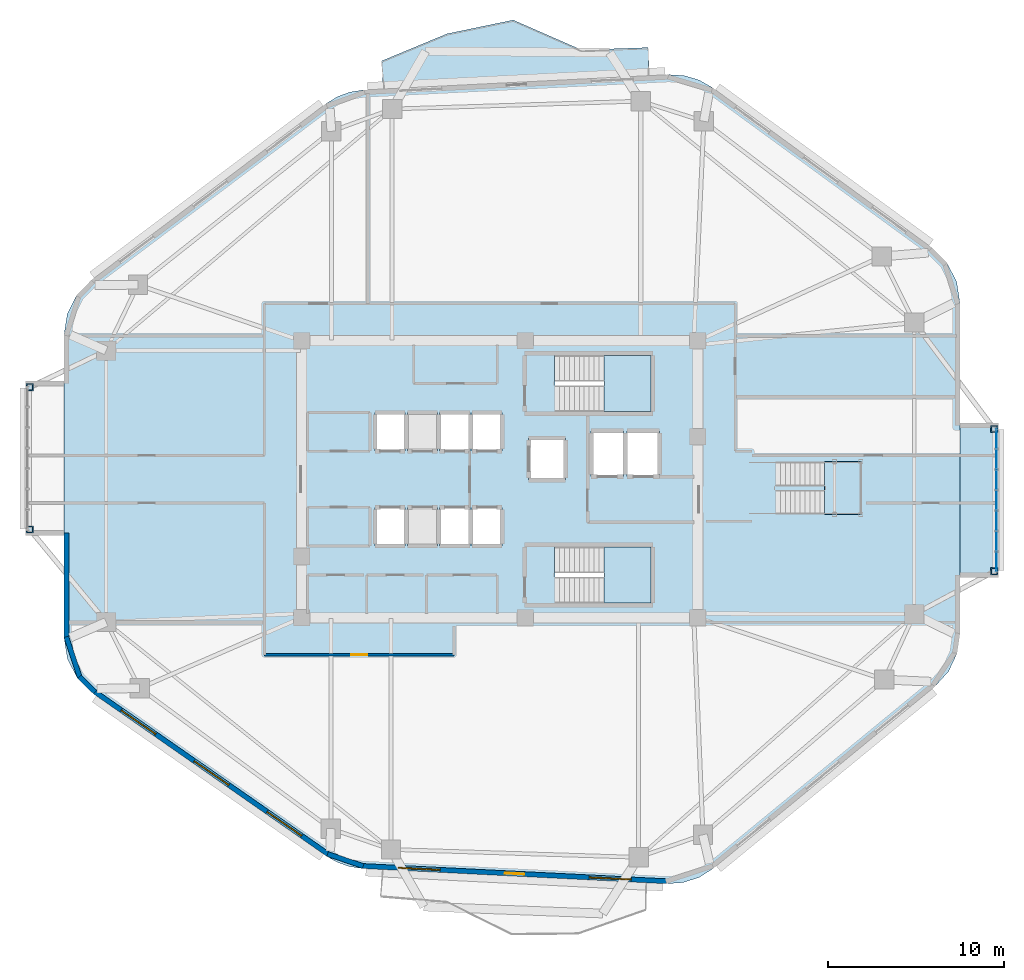
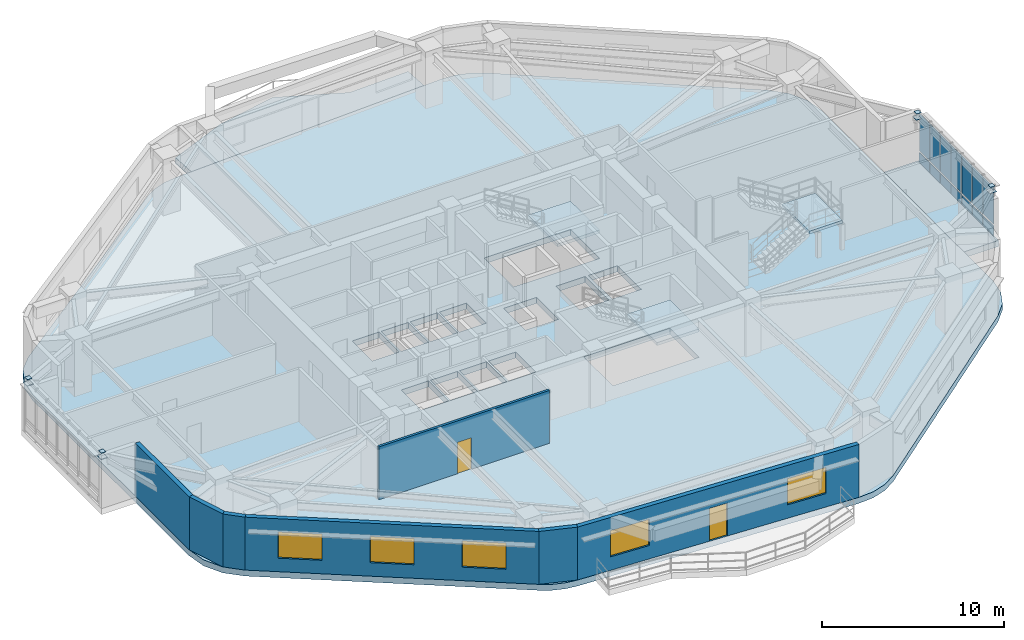
# One storey, part 8 of 16: 22 plates, 7 walls, 6 slabs, 5 windows, 2 doors, 7 openings, 4 elements without a shape of their own.
"""IFC4 building model written with IfcOpenShell, lengths in metres."""

from ifc_helpers import new_model, si_unit, direction, frame, frame_2d, origin, origin_2d, place, context, subcontext, project, spatial, polyline, rectangle, outline, extrude, material, layer, layer_set, type_object, element, fill, aggregate, save


model = new_model("IFC4")

# Units and contexts
model_context = context("Model", 3, precision=1e-05, world=origin(), true_north=direction((0.0, 1.0)))
body_context = subcontext(model_context, "Body", "Model", "MODEL_VIEW")
ifc_project = project(units=[si_unit("LENGTHUNIT", "METRE"), si_unit("AREAUNIT", "SQUARE_METRE"), si_unit("VOLUMEUNIT", "CUBIC_METRE"), si_unit("PLANEANGLEUNIT", "RADIAN"), si_unit("MASSUNIT", "GRAM", prefix="KILO")], contexts=[model_context])

# Site, building, storey
site_placement = place(None, origin())
site = spatial("IfcSite", under=ifc_project, at=site_placement, CompositionType="ELEMENT")
building_placement = place(site_placement, origin())
building = spatial("IfcBuilding", under=site, at=building_placement, Name="Zulverin Broadcast Headquarters", CompositionType="ELEMENT")
storey_placement = place(building_placement, frame((0.0, 0.0, 125.0)))
storey = spatial("IfcBuildingStorey", under=building, at=storey_placement, Name="L31", CompositionType="ELEMENT", Elevation=125.0)

# Curtain wall, plates
ifc_material_1 = material(Name="Acoustic triple-glazed studio box curtain wall", Category="aluminium")
curtain_wall_type = type_object("IfcCurtainWallType", Name="CW-SBOX", PredefinedType="USERDEFINED", material=ifc_material_1)
curtain_wall_placement = place(storey_placement, origin())
curtain_wall = element("IfcCurtainWall", 1, at=curtain_wall_placement, inside=storey, type_object=curtain_wall_type, Name="L31 Unitised Curtain Wall CW-L31-SBOX_SKY1_E-F", ObjectType="UNITISED CURTAIN WALL", PredefinedType="USERDEFINED")
ifc_material_2 = material(Name="Low-E double-glazed pale-silver vision glass", Category="glass")
ifc_layer_1 = layer(ifc_material_2, 0.035888671875, Name="Low-E double-glazed pale-silver vision glass", Category="glass")
ifc_layer_set_1 = layer_set([ifc_layer_1], Name="Low-E double-glazed pale-silver vision glass")
plate_type_1 = type_object("IfcPlateType", Name="CW-PNL-GLZ", PredefinedType="CURTAIN_PANEL", material=ifc_layer_set_1)
plate_1_placement = place(storey_placement, frame((65.280029296875, 20.512939453125, 0.91455078125), z_axis=(0.0, 0.0, 1.0), x_axis=(0.0, 1.0, 0.0)))
plate_1 = element("IfcPlate", 2, at=plate_1_placement, type_object=plate_type_1, Name="CW-L31-SBOX_SKY1_E-F Vision Panel 00", PredefinedType="CURTAIN_PANEL", context=body_context, shape_type="SweptSolid", body=[
    extrude(rectangle(XDim=1.125732421875, YDim=0.035888671875, at=origin_2d()), origin(), (0.0, 0.0, 1.0), 2.4853515625),
])
plate_2_placement = place(storey_placement, frame((65.280029296875, 21.6787109375, 0.91455078125), z_axis=(0.0, 0.0, 1.0), x_axis=(0.0, 1.0, 0.0)))
plate_2 = element("IfcPlate", 3, at=plate_2_placement, type_object=plate_type_1, Name="CW-L31-SBOX_SKY1_E-F Vision Panel 01", PredefinedType="CURTAIN_PANEL", context=body_context, shape_type="SweptSolid", body=[
    extrude(rectangle(XDim=1.125732421875, YDim=0.035888671875, at=origin_2d()), origin(), (0.0, 0.0, 1.0), 2.4853515625),
])
plate_3_placement = place(storey_placement, frame((65.280029296875, 22.84423828125, 0.91455078125), z_axis=(0.0, 0.0, 1.0), x_axis=(0.0, 1.0, 0.0)))
plate_3 = element("IfcPlate", 4, at=plate_3_placement, type_object=plate_type_1, Name="CW-L31-SBOX_SKY1_E-F Vision Panel 02", PredefinedType="CURTAIN_PANEL", context=body_context, shape_type="SweptSolid", body=[
    extrude(rectangle(XDim=1.125732421875, YDim=0.035888671875, at=origin_2d()), origin(), (0.0, 0.0, 1.0), 2.4853515625),
])
plate_4_placement = place(storey_placement, frame((65.280029296875, 24.010009765625, 0.91455078125), z_axis=(0.0, 0.0, 1.0), x_axis=(0.0, 1.0, 0.0)))
plate_4 = element("IfcPlate", 5, at=plate_4_placement, type_object=plate_type_1, Name="CW-L31-SBOX_SKY1_E-F Vision Panel 03", PredefinedType="CURTAIN_PANEL", context=body_context, shape_type="SweptSolid", body=[
    extrude(rectangle(XDim=1.125732421875, YDim=0.035888671875, at=origin_2d()), origin(), (0.0, 0.0, 1.0), 2.4853515625),
])
plate_5_placement = place(storey_placement, frame((65.280029296875, 25.17578125, 0.91455078125), z_axis=(0.0, 0.0, 1.0), x_axis=(0.0, 1.0, 0.0)))
plate_5 = element("IfcPlate", 6, at=plate_5_placement, type_object=plate_type_1, Name="CW-L31-SBOX_SKY1_E-F Vision Panel 04", PredefinedType="CURTAIN_PANEL", context=body_context, shape_type="SweptSolid", body=[
    extrude(rectangle(XDim=1.125732421875, YDim=0.035888671875, at=origin_2d()), origin(), (0.0, 0.0, 1.0), 2.4853515625),
])
plate_6_placement = place(storey_placement, frame((65.280029296875, 26.34130859375, 0.91455078125), z_axis=(0.0, 0.0, 1.0), x_axis=(0.0, 1.0, 0.0)))
plate_6 = element("IfcPlate", 7, at=plate_6_placement, type_object=plate_type_1, Name="CW-L31-SBOX_SKY1_E-F Vision Panel 05", PredefinedType="CURTAIN_PANEL", context=body_context, shape_type="SweptSolid", body=[
    extrude(rectangle(XDim=1.125732421875, YDim=0.035888671875, at=origin_2d()), origin(), (0.0, 0.0, 1.0), 2.4853515625),
])
plate_7_placement = place(storey_placement, frame((65.280029296875, 27.507080078125, 0.91455078125), z_axis=(0.0, 0.0, 1.0), x_axis=(0.0, 1.0, 0.0)))
plate_7 = element("IfcPlate", 8, at=plate_7_placement, type_object=plate_type_1, Name="CW-L31-SBOX_SKY1_E-F Vision Panel 06", PredefinedType="CURTAIN_PANEL", context=body_context, shape_type="SweptSolid", body=[
    extrude(rectangle(XDim=1.125732421875, YDim=0.035888671875, at=origin_2d()), origin(), (0.0, 0.0, 1.0), 2.4853515625),
])
ifc_material_3 = material(Name="Insulated brushed pale-aluminium spandrel cassette", Category="aluminium")
ifc_layer_2 = layer(ifc_material_3, 0.050048828125, Name="Insulated brushed pale-aluminium spandrel cassette", Category="aluminium")
ifc_layer_set_2 = layer_set([ifc_layer_2], Name="Insulated brushed pale-aluminium spandrel cassette")
plate_type_2 = type_object("IfcPlateType", Name="CW-PNL-SPN", PredefinedType="CURTAIN_PANEL", material=ifc_layer_set_2)
plate_8_placement = place(storey_placement, frame((65.280029296875, 20.512939453125, 0.14013671875), z_axis=(0.0, 0.0, 1.0), x_axis=(0.0, 1.0, 0.0)))
plate_8 = element("IfcPlate", 9, at=plate_8_placement, type_object=plate_type_2, Name="CW-L31-SBOX_SKY1_E-F Spandrel Cassette 00", PredefinedType="CURTAIN_PANEL", context=body_context, shape_type="SweptSolid", body=[
    extrude(rectangle(XDim=1.125732421875, YDim=0.050048828125, at=origin_2d()), origin(), (0.0, 0.0, 1.0), 0.64453125),
])
plate_9_placement = place(storey_placement, frame((65.280029296875, 21.6787109375, 0.14013671875), z_axis=(0.0, 0.0, 1.0), x_axis=(0.0, 1.0, 0.0)))
plate_9 = element("IfcPlate", 10, at=plate_9_placement, type_object=plate_type_2, Name="CW-L31-SBOX_SKY1_E-F Spandrel Cassette 01", PredefinedType="CURTAIN_PANEL", context=body_context, shape_type="SweptSolid", body=[
    extrude(rectangle(XDim=1.125732421875, YDim=0.050048828125, at=origin_2d()), origin(), (0.0, 0.0, 1.0), 0.64453125),
])
plate_10_placement = place(storey_placement, frame((65.280029296875, 22.84423828125, 0.14013671875), z_axis=(0.0, 0.0, 1.0), x_axis=(0.0, 1.0, 0.0)))
plate_10 = element("IfcPlate", 11, at=plate_10_placement, type_object=plate_type_2, Name="CW-L31-SBOX_SKY1_E-F Spandrel Cassette 02", PredefinedType="CURTAIN_PANEL", context=body_context, shape_type="SweptSolid", body=[
    extrude(rectangle(XDim=1.125732421875, YDim=0.050048828125, at=origin_2d()), origin(), (0.0, 0.0, 1.0), 0.64453125),
])
plate_11_placement = place(storey_placement, frame((65.280029296875, 24.010009765625, 0.14013671875), z_axis=(0.0, 0.0, 1.0), x_axis=(0.0, 1.0, 0.0)))
plate_11 = element("IfcPlate", 12, at=plate_11_placement, type_object=plate_type_2, Name="CW-L31-SBOX_SKY1_E-F Spandrel Cassette 03", PredefinedType="CURTAIN_PANEL", context=body_context, shape_type="SweptSolid", body=[
    extrude(rectangle(XDim=1.125732421875, YDim=0.050048828125, at=origin_2d()), origin(), (0.0, 0.0, 1.0), 0.64453125),
])
plate_12_placement = place(storey_placement, frame((65.280029296875, 25.17578125, 0.14013671875), z_axis=(0.0, 0.0, 1.0), x_axis=(0.0, 1.0, 0.0)))
plate_12 = element("IfcPlate", 13, at=plate_12_placement, type_object=plate_type_2, Name="CW-L31-SBOX_SKY1_E-F Spandrel Cassette 04", PredefinedType="CURTAIN_PANEL", context=body_context, shape_type="SweptSolid", body=[
    extrude(rectangle(XDim=1.125732421875, YDim=0.050048828125, at=origin_2d()), origin(), (0.0, 0.0, 1.0), 0.64453125),
])
plate_13_placement = place(storey_placement, frame((65.280029296875, 26.34130859375, 0.14013671875), z_axis=(0.0, 0.0, 1.0), x_axis=(0.0, 1.0, 0.0)))
plate_13 = element("IfcPlate", 14, at=plate_13_placement, type_object=plate_type_2, Name="CW-L31-SBOX_SKY1_E-F Spandrel Cassette 05", PredefinedType="CURTAIN_PANEL", context=body_context, shape_type="SweptSolid", body=[
    extrude(rectangle(XDim=1.125732421875, YDim=0.050048828125, at=origin_2d()), origin(), (0.0, 0.0, 1.0), 0.64453125),
])
plate_14_placement = place(storey_placement, frame((65.280029296875, 27.507080078125, 0.14013671875), z_axis=(0.0, 0.0, 1.0), x_axis=(0.0, 1.0, 0.0)))
plate_14 = element("IfcPlate", 15, at=plate_14_placement, type_object=plate_type_2, Name="CW-L31-SBOX_SKY1_E-F Spandrel Cassette 06", PredefinedType="CURTAIN_PANEL", context=body_context, shape_type="SweptSolid", body=[
    extrude(rectangle(XDim=1.125732421875, YDim=0.050048828125, at=origin_2d()), origin(), (0.0, 0.0, 1.0), 0.64453125),
])
aggregate(curtain_wall, [plate_8, plate_1, plate_9, plate_2, plate_10, plate_3, plate_11, plate_4, plate_12, plate_5, plate_13, plate_6, plate_14, plate_7])

# Plates
ifc_material_4 = material(Name="Structural steel S355JR", Category="steel")
ifc_layer_3 = layer(ifc_material_4, 0.02490234375, Name="Structural steel S355JR", Category="steel")
ifc_layer_set_3 = layer_set([ifc_layer_3], Name="Structural steel S355JR")
plate_type_3 = type_object("IfcPlateType", Name="PLT-NODE-SBN1", PredefinedType="SHEET", material=ifc_layer_set_3)
plate_15_placement = place(storey_placement, frame((65.14990234375, 19.9599609375, 3.53759765625), z_axis=(0.0, 0.0, 1.0), x_axis=(1.0, 0.0, 0.0)))
element("IfcPlate", 16, at=plate_15_placement, inside=storey, type_object=plate_type_3, Name="SBN-1 Studio Box Post End Cap Plate L31-SBOX_SKY1_E-1", PredefinedType="SHEET", context=body_context, shape_type="SweptSolid", body=[
    extrude(rectangle(XDim=0.300048828125, YDim=0.300048828125, at=origin_2d()), origin(), (0.0, 0.0, 1.0), 0.02490234375),
])
plate_16_placement = place(storey_placement, frame((65.14990234375, 19.9599609375, 3.177490234375), z_axis=(0.0, 0.0, 1.0), x_axis=(1.0, 0.0, 0.0)))
element("IfcPlate", 17, at=plate_16_placement, inside=storey, type_object=plate_type_3, Name="SBN-1 Studio Box Node Gusset Plate L31-SBOX_SKY1_E-1", PredefinedType="SHEET", context=body_context, shape_type="SweptSolid", body=[
    extrude(rectangle(XDim=0.419921875, YDim=0.419921875, at=origin_2d()), origin(), (0.0, 0.0, 1.0), 0.02490234375),
])
plate_17_placement = place(storey_placement, frame((65.14990234375, 28.06005859375, 3.53759765625), z_axis=(0.0, 0.0, 1.0), x_axis=(1.0, 0.0, 0.0)))
element("IfcPlate", 18, at=plate_17_placement, inside=storey, type_object=plate_type_3, Name="SBN-1 Studio Box Post End Cap Plate L31-SBOX_SKY1_E-2", PredefinedType="SHEET", context=body_context, shape_type="SweptSolid", body=[
    extrude(rectangle(XDim=0.300048828125, YDim=0.300048828125, at=origin_2d()), origin(), (0.0, 0.0, 1.0), 0.02490234375),
])
plate_18_placement = place(storey_placement, frame((65.14990234375, 28.06005859375, 3.177490234375), z_axis=(0.0, 0.0, 1.0), x_axis=(1.0, 0.0, 0.0)))
element("IfcPlate", 19, at=plate_18_placement, inside=storey, type_object=plate_type_3, Name="SBN-1 Studio Box Node Gusset Plate L31-SBOX_SKY1_E-2", PredefinedType="SHEET", context=body_context, shape_type="SweptSolid", body=[
    extrude(rectangle(XDim=0.419921875, YDim=0.419921875, at=origin_2d()), origin(), (0.0, 0.0, 1.0), 0.02490234375),
])
plate_19_placement = place(storey_placement, frame((10.25, 22.340087890625, 3.53759765625), z_axis=(0.0, 0.0, 1.0), x_axis=(1.0, 0.0, 0.0)))
element("IfcPlate", 20, at=plate_19_placement, inside=storey, type_object=plate_type_3, Name="SBN-1 Studio Box Post End Cap Plate L31-SBOX_SKY1_W-1", PredefinedType="SHEET", context=body_context, shape_type="SweptSolid", body=[
    extrude(rectangle(XDim=0.300048828125, YDim=0.300048828125, at=origin_2d()), origin(), (0.0, 0.0, 1.0), 0.02490234375),
])
plate_20_placement = place(storey_placement, frame((10.25, 22.340087890625, 3.177490234375), z_axis=(0.0, 0.0, 1.0), x_axis=(1.0, 0.0, 0.0)))
element("IfcPlate", 21, at=plate_20_placement, inside=storey, type_object=plate_type_3, Name="SBN-1 Studio Box Node Gusset Plate L31-SBOX_SKY1_W-1", PredefinedType="SHEET", context=body_context, shape_type="SweptSolid", body=[
    extrude(rectangle(XDim=0.419921875, YDim=0.419921875, at=origin_2d()), origin(), (0.0, 0.0, 1.0), 0.02490234375),
])
plate_21_placement = place(storey_placement, frame((10.25, 30.43994140625, 3.53759765625), z_axis=(0.0, 0.0, 1.0), x_axis=(1.0, 0.0, 0.0)))
element("IfcPlate", 22, at=plate_21_placement, inside=storey, type_object=plate_type_3, Name="SBN-1 Studio Box Post End Cap Plate L31-SBOX_SKY1_W-2", PredefinedType="SHEET", context=body_context, shape_type="SweptSolid", body=[
    extrude(rectangle(XDim=0.300048828125, YDim=0.300048828125, at=origin_2d()), origin(), (0.0, 0.0, 1.0), 0.02490234375),
])
plate_22_placement = place(storey_placement, frame((10.25, 30.43994140625, 3.177490234375), z_axis=(0.0, 0.0, 1.0), x_axis=(1.0, 0.0, 0.0)))
element("IfcPlate", 23, at=plate_22_placement, inside=storey, type_object=plate_type_3, Name="SBN-1 Studio Box Node Gusset Plate L31-SBOX_SKY1_W-2", PredefinedType="SHEET", context=body_context, shape_type="SweptSolid", body=[
    extrude(rectangle(XDim=0.419921875, YDim=0.419921875, at=origin_2d()), origin(), (0.0, 0.0, 1.0), 0.02490234375),
])

# Slab
ifc_material_5 = material(Name="Concrete C40/50", Category="concrete")
ifc_layer_4 = layer(ifc_material_5, 0.39990234375, Name="Concrete C40/50", Category="concrete")
ifc_layer_set_4 = layer_set([ifc_layer_4], Name="Concrete C40/50")
slab_type_1 = type_object("IfcSlabType", Name="SLB-BAL-400", PredefinedType="FLOOR", material=ifc_layer_set_4)
slab_1_placement = place(storey_placement, frame((0.0, 0.0, -0.39990234375)))
element("IfcSlab", 24, at=slab_1_placement, inside=storey, type_object=slab_type_1, Name="L31 Cantilevered Planted Balcony Slab BAL_N", PredefinedType="FLOOR", context=body_context, shape_type="SweptSolid", body=[
    extrude(outline(polyline([(30.364013671875, 47.4150390625), (45.526611328125, 48.17578125), (45.4462890625, 49.773681640625), (41.65283203125, 49.638916015625), (37.767333984375, 51.3408203125), (34.00634765625, 50.558837890625), (30.28369140625, 49.012939453125), (30.364013671875, 47.4150390625)])), origin(), (0.0, 0.0, 1.0), 0.39990234375),
])

# Stair, slab
stair_type_1 = type_object("IfcStairType", Name="ST-CORE-1500", PredefinedType="HALF_TURN_STAIR", material=ifc_material_5)
stair_1_placement = place(storey_placement, origin())
stair_1 = element("IfcStair", 25, at=stair_1_placement, inside=storey, type_object=stair_type_1, Name="L31 Core Exit Stair ST-1", PredefinedType="HALF_TURN_STAIR")
ifc_layer_5 = layer(ifc_material_5, 0.199951171875, Name="Concrete C40/50", Category="concrete")
ifc_layer_set_5 = layer_set([ifc_layer_5], Name="Concrete C40/50")
slab_type_2 = type_object("IfcSlabType", Name="SLB-ST-LND200", PredefinedType="LANDING", material=ifc_layer_set_5)
slab_2_placement = place(storey_placement, frame((0.0, 0.0, 1.699951171875)))
slab_2 = element("IfcSlab", 26, at=slab_2_placement, type_object=slab_type_2, Name="ST-1 landing 1", PredefinedType="LANDING", context=body_context, shape_type="SweptSolid", body=[
    extrude(outline(polyline([(42.929931640625, 29.050048828125), (45.60009765625, 29.050048828125), (45.60009765625, 32.25), (42.929931640625, 32.25), (42.929931640625, 29.050048828125)])), origin(), (0.0, 0.0, 1.0), 0.199951171875),
])
aggregate(stair_1, [slab_2])

stair_2_placement = place(storey_placement, origin())
stair_2 = element("IfcStair", 27, at=stair_2_placement, inside=storey, type_object=stair_type_1, Name="L31 Core Exit Stair ST-2", PredefinedType="HALF_TURN_STAIR")
slab_3_placement = place(storey_placement, frame((0.0, 0.0, 1.699951171875)))
slab_3 = element("IfcSlab", 28, at=slab_3_placement, type_object=slab_type_2, Name="ST-2 landing 1", PredefinedType="LANDING", context=body_context, shape_type="SweptSolid", body=[
    extrude(outline(polyline([(42.929931640625, 18.14990234375), (45.60009765625, 18.14990234375), (45.60009765625, 21.35009765625), (42.929931640625, 21.35009765625), (42.929931640625, 18.14990234375)])), origin(), (0.0, 0.0, 1.0), 0.199951171875),
])
aggregate(stair_2, [slab_3])

stair_type_2 = type_object("IfcStairType", Name="ST-SKY-1400", PredefinedType="HALF_TURN_STAIR", material=ifc_material_5)
stair_3_placement = place(storey_placement, origin())
stair_3 = element("IfcStair", 29, at=stair_3_placement, inside=storey, type_object=stair_type_2, Name="L31 Mid-Rise Sky Lobby Feature Stair ST-6", PredefinedType="HALF_TURN_STAIR")
slab_4_placement = place(storey_placement, frame((0.0, 0.0, 1.699951171875)))
slab_4 = element("IfcSlab", 30, at=slab_4_placement, type_object=slab_type_2, Name="ST-6 landing 1", PredefinedType="LANDING", context=body_context, shape_type="SweptSolid", body=[
    extrude(outline(polyline([(55.5, 23.199951171875), (57.60009765625, 23.199951171875), (57.60009765625, 26.199951171875), (55.5, 26.199951171875), (55.5, 23.199951171875)])), origin(), (0.0, 0.0, 1.0), 0.199951171875),
])
aggregate(stair_3, [slab_4])

# Slabs
ifc_material_6 = material(Name="Concrete C50/60", Category="concrete")
ifc_layer_6 = layer(ifc_material_6, 0.39990234375, Name="Concrete C50/60", Category="concrete")
ifc_layer_set_6 = layer_set([ifc_layer_6], Name="Concrete C50/60")
slab_type_3 = type_object("IfcSlabType", Name="SLB-TRN-400", PredefinedType="FLOOR", material=ifc_layer_set_6)
slab_5_placement = place(storey_placement, frame((0.0, 0.0, -0.39990234375)))
element("IfcSlab", 31, at=slab_5_placement, inside=storey, type_object=slab_type_3, Name="L31 Main Structural Floor Slab", PredefinedType="FLOOR", context=body_context, shape_type="SweptSolid", body=[
    extrude(outline(polyline([(27.155029296875, 3.73828125), (27.785400390625, 3.381591796875), (28.470947265625, 3.147216796875), (29.18798828125, 3.0439453125), (46.498779296875, 2.175537109375), (47.45263671875, 2.2451171875), (48.36083984375, 2.544677734375), (49.168701171875, 3.05615234375), (61.7744140625, 13.40380859375), (62.54296875, 14.251708984375), (63.031982421875, 15.286376953125), (63.199951171875, 16.418212890625), (63.199951171875, 35.22998046875), (63.010009765625, 36.4326171875), (62.458251953125, 37.517822265625), (61.598876953125, 38.38037109375), (49.119384765625, 47.486083984375), (48.351806640625, 47.922607421875), (47.506103515625, 48.175048828125), (46.625, 48.230712890625), (29.265380859375, 47.35986328125), (28.502197265625, 47.2451171875), (27.776611328125, 46.982421875), (27.116943359375, 46.581787109375), (13.756103515625, 36.5361328125), (12.919921875, 35.6767578125), (12.384521484375, 34.603759765625), (12.199951171875, 33.4189453125), (12.199951171875, 16.18701171875), (12.399169921875, 14.956787109375), (12.975830078125, 13.852294921875), (13.87158203125, 12.986083984375), (27.155029296875, 3.73828125)]), holes=[polyline([(40.155029296875, 30.75), (40.13037109375, 30.75), (40.13037109375, 32.25), (45.60009765625, 32.25), (45.60009765625, 29.050048828125), (40.155029296875, 29.050048828125), (40.155029296875, 30.75)]), polyline([(40.155029296875, 19.85009765625), (40.13037109375, 19.85009765625), (40.13037109375, 21.35009765625), (45.60009765625, 21.35009765625), (45.60009765625, 18.14990234375), (40.155029296875, 18.14990234375), (40.155029296875, 19.85009765625)]), polyline([(29.89990234375, 21.39990234375), (31.6201171875, 21.39990234375), (31.6201171875, 23.60009765625), (29.89990234375, 23.60009765625), (29.89990234375, 21.39990234375)]), polyline([(31.739990234375, 21.39990234375), (33.4599609375, 21.39990234375), (33.4599609375, 23.60009765625), (31.739990234375, 23.60009765625), (31.739990234375, 21.39990234375)]), polyline([(33.580078125, 21.39990234375), (35.300048828125, 21.39990234375), (35.300048828125, 23.60009765625), (33.580078125, 23.60009765625), (33.580078125, 21.39990234375)]), polyline([(35.419921875, 21.39990234375), (37.139892578125, 21.39990234375), (37.139892578125, 23.60009765625), (35.419921875, 23.60009765625), (35.419921875, 21.39990234375)]), polyline([(29.89990234375, 26.800048828125), (31.6201171875, 26.800048828125), (31.6201171875, 29.0), (29.89990234375, 29.0), (29.89990234375, 26.800048828125)]), polyline([(31.739990234375, 26.800048828125), (33.4599609375, 26.800048828125), (33.4599609375, 29.0), (31.739990234375, 29.0), (31.739990234375, 26.800048828125)]), polyline([(33.580078125, 26.800048828125), (35.300048828125, 26.800048828125), (35.300048828125, 29.0), (33.580078125, 29.0), (33.580078125, 26.800048828125)]), polyline([(35.419921875, 26.800048828125), (37.139892578125, 26.800048828125), (37.139892578125, 29.0), (35.419921875, 29.0), (35.419921875, 26.800048828125)]), polyline([(42.199951171875, 25.35009765625), (44.050048828125, 25.35009765625), (44.050048828125, 27.949951171875), (42.199951171875, 27.949951171875), (42.199951171875, 25.35009765625)]), polyline([(44.25, 25.35009765625), (46.10009765625, 25.35009765625), (46.10009765625, 27.949951171875), (44.25, 27.949951171875), (44.25, 25.35009765625)]), polyline([(38.64990234375, 25.14990234375), (40.75, 25.14990234375), (40.75, 27.550048828125), (38.64990234375, 27.550048828125), (38.64990234375, 25.14990234375)])]), origin(), (0.0, 0.0, 1.0), 0.39990234375),
])
slab_6_placement = place(storey_placement, frame((0.0, 0.0, -0.39990234375)))
element("IfcSlab", 32, at=slab_6_placement, inside=storey, type_object=slab_type_3, Name="L31 Shifted Broadcast Studio Box Floor Slab SBOX_SKY1_E", PredefinedType="FLOOR", context=body_context, shape_type="SweptSolid", body=[
    extrude(outline(polyline([(63.199951171875, 19.610107421875), (65.39990234375, 19.610107421875), (65.39990234375, 28.409912109375), (63.199951171875, 28.409912109375), (63.199951171875, 19.610107421875)])), origin(), (0.0, 0.0, 1.0), 0.39990234375),
])

# Wall, openings, door, windows
ifc_material_7 = material(Name="Insulated pale-metal clad concrete spandrel C40/50", Category="concrete")
ifc_layer_7 = layer(ifc_material_7, 0.280029296875, Name="Insulated pale-metal clad concrete spandrel C40/50", Category="concrete")
ifc_layer_set_7 = layer_set([ifc_layer_7], Name="Insulated pale-metal clad concrete spandrel C40/50")
wall_type_1 = type_object("IfcWallType", Name="WL-EXT-280", PredefinedType="STANDARD", material=ifc_layer_set_7)
wall_1_placement = place(storey_placement, frame((29.19482421875, 3.183837890625, 0.0), z_axis=(0.0, 0.0, 1.0), x_axis=(0.998743400978, -0.05011605535, 0.0)))
wall_1 = element("IfcWall", 33, at=wall_1_placement, inside=storey, type_object=wall_type_1, Name="L31 Pale-Metal Clad Spandrel Wall 1", PredefinedType="STANDARD", context=body_context, shape_type="SweptSolid", body=[
    extrude(rectangle(XDim=17.332763671875, YDim=0.280029296875, at=frame_2d((8.66650390625, 0.0))), origin(), (0.0, 0.0, 1.0), 3.5400390625),
])
opening_1_placement = place(wall_1_placement, frame((8.116455078125, 0.0, 0.0)))
opening_1 = element("IfcOpeningElement", 34, at=opening_1_placement, cuts=wall_1, Name="Opening D-L31-TR1", PredefinedType="OPENING", context=body_context, shape_type="SweptSolid", body=[
    extrude(rectangle(XDim=1.10009765625, YDim=2.199951171875, at=frame_2d((0.550048828125, 1.10009765625))), frame((0.0, 0.14990234375, 0.0), z_axis=(0.0, -1.0, 0.0), x_axis=(1.0, 0.0, 0.0)), (0.0, 0.0, 1.0), 0.300048828125),
])
opening_2_placement = place(wall_1_placement, frame((2.022216796875, 0.0, 0.89990234375)))
opening_2 = element("IfcOpeningElement", 35, at=opening_2_placement, cuts=wall_1, Name="Opening W-L31-E11", PredefinedType="OPENING", context=body_context, shape_type="SweptSolid", body=[
    extrude(rectangle(XDim=2.39990234375, YDim=1.75, at=frame_2d((1.199951171875, 0.875))), frame((0.0, 0.14990234375, 0.0), z_axis=(0.0, -1.0, 0.0), x_axis=(1.0, 0.0, 0.0)), (0.0, 0.0, 1.0), 0.300048828125),
])
opening_3_placement = place(wall_1_placement, frame((12.91064453125, 0.0, 0.89990234375)))
opening_3 = element("IfcOpeningElement", 36, at=opening_3_placement, cuts=wall_1, Name="Opening W-L31-E12", PredefinedType="OPENING", context=body_context, shape_type="SweptSolid", body=[
    extrude(rectangle(XDim=2.39990234375, YDim=1.75, at=frame_2d((1.199951171875, 0.875))), frame((0.0, 0.14990234375, 0.0), z_axis=(0.0, -1.0, 0.0), x_axis=(1.0, 0.0, 0.0)), (0.0, 0.0, 1.0), 0.300048828125),
])
ifc_material_8 = material(Name="Thermally broken aluminium glazed", Category="aluminium")
door_type_1 = type_object("IfcDoorType", Name="DR-TERR-1100", OperationType="SINGLE_SWING_RIGHT", PredefinedType="DOOR", material=ifc_material_8)
door_1_placement = place(opening_1_placement, origin())
door_1 = element("IfcDoor", 37, at=door_1_placement, inside=storey, type_object=door_type_1, Name="L31 Planted Terrace Glazed Access Door 1", OperationType="SINGLE_SWING_RIGHT", OverallHeight=2.199951171875, OverallWidth=1.10009765625, PredefinedType="DOOR", context=body_context, shape_type="SweptSolid", body=[
    extrude(rectangle(XDim=1.10009765625, YDim=2.199951171875, at=frame_2d((0.550048828125, 1.10009765625))), frame((0.0, 0.02490234375, 0.0), z_axis=(0.0, -1.0, 0.0), x_axis=(1.0, 0.0, 0.0)), (0.0, 0.0, 1.0), 0.050048828125),
])
fill(opening_1, door_1)
ifc_material_9 = material(Name="Pale anodized aluminium frame with solar-control low-E double glazing", Category="aluminium")
window_type = type_object("IfcWindowType", Name="WIN-RIB-2400", PartitioningType="SINGLE_PANEL", PredefinedType="WINDOW", material=ifc_material_9)
window_1_placement = place(opening_2_placement, origin())
window_1 = element("IfcWindow", 38, at=window_1_placement, inside=storey, type_object=window_type, Name="L31 Ribbon Glazing Window 1 1", OverallHeight=1.75, OverallWidth=2.39990234375, PartitioningType="SINGLE_PANEL", PredefinedType="WINDOW", context=body_context, shape_type="SweptSolid", body=[
    extrude(rectangle(XDim=2.39990234375, YDim=1.75, at=frame_2d((1.199951171875, 0.875))), frame((0.0, 0.030029296875, 0.0), z_axis=(0.0, -1.0, 0.0), x_axis=(1.0, 0.0, 0.0)), (0.0, 0.0, 1.0), 0.06005859375),
])
fill(opening_2, window_1)
window_2_placement = place(opening_3_placement, origin())
window_2 = element("IfcWindow", 39, at=window_2_placement, inside=storey, type_object=window_type, Name="L31 Ribbon Glazing Window 1 2", OverallHeight=1.75, OverallWidth=2.39990234375, PartitioningType="SINGLE_PANEL", PredefinedType="WINDOW", context=body_context, shape_type="SweptSolid", body=[
    extrude(rectangle(XDim=2.39990234375, YDim=1.75, at=frame_2d((1.199951171875, 0.875))), frame((0.0, 0.030029296875, 0.0), z_axis=(0.0, -1.0, 0.0), x_axis=(1.0, 0.0, 0.0)), (0.0, 0.0, 1.0), 0.06005859375),
])
fill(opening_3, window_2)

# Wall
wall_2_placement = place(storey_placement, frame((12.340087890625, 22.1298828125, 0.0), z_axis=(0.0, 0.0, 1.0), x_axis=(0.0, -1.0, 0.0)))
element("IfcWall", 40, at=wall_2_placement, inside=storey, type_object=wall_type_1, Name="L31 Pale-Metal Clad Flanking Spandrel Wall 7-2", PredefinedType="STANDARD", context=body_context, shape_type="SweptSolid", body=[
    extrude(rectangle(XDim=5.94287109375, YDim=0.280029296875, at=frame_2d((2.971435546875, 0.0))), origin(), (0.0, 0.0, 1.0), 3.5400390625),
])

# Wall, openings, windows
wall_3_placement = place(storey_placement, frame((13.95166015625, 13.10107421875, 0.0), z_axis=(0.0, 0.0, 1.0), x_axis=(0.820698239491, -0.571361881558, 0.0)))
wall_3 = element("IfcWall", 41, at=wall_3_placement, inside=storey, type_object=wall_type_1, Name="L31 Pale-Metal Clad Spandrel Wall 8", PredefinedType="STANDARD", context=body_context, shape_type="SweptSolid", body=[
    extrude(rectangle(XDim=16.185546875, YDim=0.280029296875, at=frame_2d((8.0927734375, 0.0))), origin(), (0.0, 0.0, 1.0), 3.5400390625),
])
opening_4_placement = place(wall_3_placement, frame((1.830810546875, 0.0, 0.89990234375)))
opening_4 = element("IfcOpeningElement", 42, at=opening_4_placement, cuts=wall_3, Name="Opening W-L31-E81", PredefinedType="OPENING", context=body_context, shape_type="SweptSolid", body=[
    extrude(rectangle(XDim=2.39990234375, YDim=1.75, at=frame_2d((1.199951171875, 0.875))), frame((0.0, 0.14990234375, 0.0), z_axis=(0.0, -1.0, 0.0), x_axis=(1.0, 0.0, 0.0)), (0.0, 0.0, 1.0), 0.300048828125),
])
opening_5_placement = place(wall_3_placement, frame((6.892578125, 0.0, 0.89990234375)))
opening_5 = element("IfcOpeningElement", 43, at=opening_5_placement, cuts=wall_3, Name="Opening W-L31-E82", PredefinedType="OPENING", context=body_context, shape_type="SweptSolid", body=[
    extrude(rectangle(XDim=2.39990234375, YDim=1.75, at=frame_2d((1.199951171875, 0.875))), frame((0.0, 0.14990234375, 0.0), z_axis=(0.0, -1.0, 0.0), x_axis=(1.0, 0.0, 0.0)), (0.0, 0.0, 1.0), 0.300048828125),
])
opening_6_placement = place(wall_3_placement, frame((11.95458984375, 0.0, 0.89990234375)))
opening_6 = element("IfcOpeningElement", 44, at=opening_6_placement, cuts=wall_3, Name="Opening W-L31-E83", PredefinedType="OPENING", context=body_context, shape_type="SweptSolid", body=[
    extrude(rectangle(XDim=2.39990234375, YDim=1.75, at=frame_2d((1.199951171875, 0.875))), frame((0.0, 0.14990234375, 0.0), z_axis=(0.0, -1.0, 0.0), x_axis=(1.0, 0.0, 0.0)), (0.0, 0.0, 1.0), 0.300048828125),
])
window_3_placement = place(opening_4_placement, origin())
window_3 = element("IfcWindow", 45, at=window_3_placement, inside=storey, type_object=window_type, Name="L31 Ribbon Glazing Window 8 1", OverallHeight=1.75, OverallWidth=2.39990234375, PartitioningType="SINGLE_PANEL", PredefinedType="WINDOW", context=body_context, shape_type="SweptSolid", body=[
    extrude(rectangle(XDim=2.39990234375, YDim=1.75, at=frame_2d((1.199951171875, 0.875))), frame((0.0, 0.030029296875, 0.0), z_axis=(0.0, -1.0, 0.0), x_axis=(1.0, 0.0, 0.0)), (0.0, 0.0, 1.0), 0.06005859375),
])
fill(opening_4, window_3)
window_4_placement = place(opening_5_placement, origin())
window_4 = element("IfcWindow", 46, at=window_4_placement, inside=storey, type_object=window_type, Name="L31 Ribbon Glazing Window 8 2", OverallHeight=1.75, OverallWidth=2.39990234375, PartitioningType="SINGLE_PANEL", PredefinedType="WINDOW", context=body_context, shape_type="SweptSolid", body=[
    extrude(rectangle(XDim=2.39990234375, YDim=1.75, at=frame_2d((1.199951171875, 0.875))), frame((0.0, 0.030029296875, 0.0), z_axis=(0.0, -1.0, 0.0), x_axis=(1.0, 0.0, 0.0)), (0.0, 0.0, 1.0), 0.06005859375),
])
fill(opening_5, window_4)
window_5_placement = place(opening_6_placement, origin())
window_5 = element("IfcWindow", 47, at=window_5_placement, inside=storey, type_object=window_type, Name="L31 Ribbon Glazing Window 8 3", OverallHeight=1.75, OverallWidth=2.39990234375, PartitioningType="SINGLE_PANEL", PredefinedType="WINDOW", context=body_context, shape_type="SweptSolid", body=[
    extrude(rectangle(XDim=2.39990234375, YDim=1.75, at=frame_2d((1.199951171875, 0.875))), frame((0.0, 0.030029296875, 0.0), z_axis=(0.0, -1.0, 0.0), x_axis=(1.0, 0.0, 0.0)), (0.0, 0.0, 1.0), 0.06005859375),
])
fill(opening_6, window_5)

# Walls
wall_4_placement = place(storey_placement, frame((12.3330078125, 16.231201171875, 0.0), z_axis=(0.0, 0.0, 1.0), x_axis=(0.315364302967, -0.94897068259, 0.0)))
element("IfcWall", 48, at=wall_4_placement, inside=storey, type_object=wall_type_1, Name="L31 Wind-Shaped Corner Spandrel Wall 7-1", PredefinedType="STANDARD", context=body_context, shape_type="SweptSolid", body=[
    extrude(rectangle(XDim=2.460205078125, YDim=0.280029296875, at=frame_2d((1.22998046875, 0.0))), origin(), (0.0, 0.0, 1.0), 3.5400390625),
])
wall_5_placement = place(storey_placement, frame((13.0732421875, 13.952880859375, 0.0), z_axis=(0.0, 0.0, 1.0), x_axis=(0.718958999036, -0.695052485576, 0.0)))
element("IfcWall", 49, at=wall_5_placement, inside=storey, type_object=wall_type_1, Name="L31 Wind-Shaped Corner Spandrel Wall 7-2", PredefinedType="STANDARD", context=body_context, shape_type="SweptSolid", body=[
    extrude(rectangle(XDim=1.245849609375, YDim=0.280029296875, at=frame_2d((0.623046875, 0.0))), origin(), (0.0, 0.0, 1.0), 3.5400390625),
])
wall_6_placement = place(storey_placement, frame((27.2001953125, 3.870849609375, 0.0), z_axis=(0.0, 0.0, 1.0), x_axis=(0.946327814955, -0.323208395068, 0.0)))
element("IfcWall", 50, at=wall_6_placement, inside=storey, type_object=wall_type_1, Name="L31 Wind-Shaped Corner Spandrel Wall 8-1", PredefinedType="STANDARD", context=body_context, shape_type="SweptSolid", body=[
    extrude(rectangle(XDim=2.148193359375, YDim=0.280029296875, at=frame_2d((1.07421875, 0.0))), origin(), (0.0, 0.0, 1.0), 3.5400390625),
])

# Wall, opening, door
ifc_material_10 = material(Name="Fire-rated gypsum stud partition", Category="gypsum")
ifc_layer_8 = layer(ifc_material_10, 0.14990234375, Name="Fire-rated gypsum stud partition", Category="gypsum")
ifc_layer_set_8 = layer_set([ifc_layer_8], Name="Fire-rated gypsum stud partition")
wall_type_2 = type_object("IfcWallType", Name="WL-PART-150", PredefinedType="PARTITIONING", material=ifc_layer_set_8)
wall_7_placement = place(storey_placement, frame((23.60009765625, 15.199951171875, 0.0), z_axis=(0.0, 0.0, 1.0), x_axis=(1.0, 0.0, 0.0)))
wall_7 = element("IfcWall", 51, at=wall_7_placement, inside=storey, type_object=wall_type_2, Name="L31 Gallery Partition Wall CG-06", PredefinedType="PARTITIONING", context=body_context, shape_type="SweptSolid", body=[
    extrude(rectangle(XDim=10.7998046875, YDim=0.14990234375, at=frame_2d((5.39990234375, 0.0))), origin(), (0.0, 0.0, 1.0), 3.5400390625),
])
opening_7_placement = place(wall_7_placement, frame((4.949951171875, 0.0, 0.0)))
opening_7 = element("IfcOpeningElement", 52, at=opening_7_placement, cuts=wall_7, Name="Opening D-L31-03", PredefinedType="OPENING", context=body_context, shape_type="SweptSolid", body=[
    extrude(rectangle(XDim=0.89990234375, YDim=2.10009765625, at=frame_2d((0.449951171875, 1.050048828125))), frame((0.0, 0.0849609375, 0.0), z_axis=(0.0, -1.0, 0.0), x_axis=(1.0, 0.0, 0.0)), (0.0, 0.0, 1.0), 0.169921875),
])
ifc_material_11 = material(Name="Fire-rated hardwood veneer timber leaf", Category="wood")
door_type_2 = type_object("IfcDoorType", Name="DR-ROOM-900", OperationType="SINGLE_SWING_RIGHT", PredefinedType="DOOR", material=ifc_material_11)
door_2_placement = place(opening_7_placement, origin())
door_2 = element("IfcDoor", 53, at=door_2_placement, inside=storey, type_object=door_type_2, Name="L31 Broadcast Exhibition Gallery Door", OperationType="SINGLE_SWING_RIGHT", OverallHeight=2.10009765625, OverallWidth=0.89990234375, PredefinedType="DOOR", context=body_context, shape_type="SweptSolid", body=[
    extrude(rectangle(XDim=0.89990234375, YDim=2.10009765625, at=frame_2d((0.449951171875, 1.050048828125))), frame((0.0, 0.02490234375, 0.0), z_axis=(0.0, -1.0, 0.0), x_axis=(1.0, 0.0, 0.0)), (0.0, 0.0, 1.0), 0.050048828125),
])
fill(opening_7, door_2)

save(model, "model.ifc")
